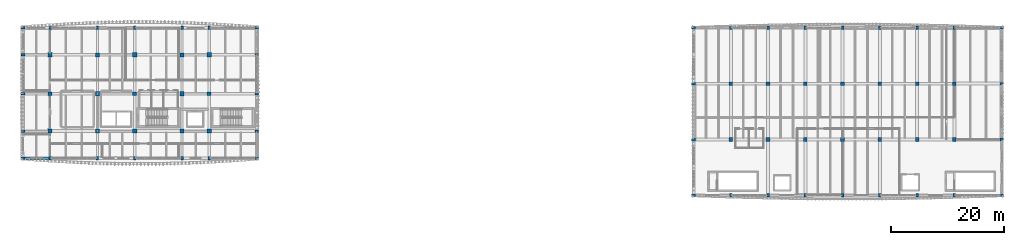
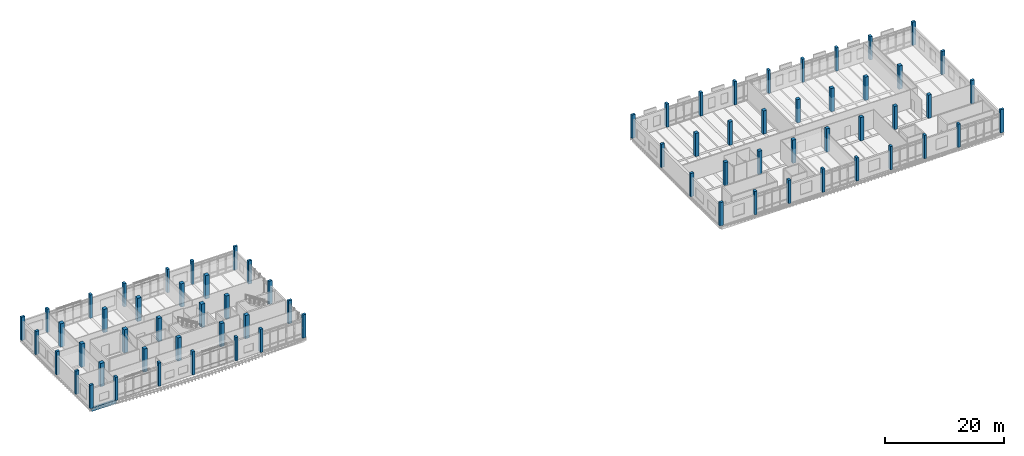
# One storey, part 1 of 37: 71 columns, 1 beam.
"""IFC4 building model written with IfcOpenShell, lengths in metres."""

from ifc_helpers import new_model, si_unit, direction, frame, origin, origin_2d, place, context, subcontext, project, spatial, rectangle, extrude, material, material_profile, profile_set, type_object, element, save


model = new_model("IFC4")

# Units and contexts
model_context = context("Model", 3, precision=1e-05, world=origin(), true_north=direction((0.0, 1.0)))
body_context = subcontext(model_context, "Body", "Model", "MODEL_VIEW")
ifc_project = project(units=[si_unit("LENGTHUNIT", "METRE"), si_unit("AREAUNIT", "SQUARE_METRE"), si_unit("VOLUMEUNIT", "CUBIC_METRE"), si_unit("PLANEANGLEUNIT", "RADIAN"), si_unit("MASSUNIT", "GRAM", prefix="KILO")], contexts=[model_context])

# Site, building, storey
site_placement = place(None, origin())
site = spatial("IfcSite", under=ifc_project, at=site_placement, CompositionType="ELEMENT")
building_placement = place(site_placement, origin())
building = spatial("IfcBuilding", under=site, at=building_placement, Name="Dornvale Research Institute", CompositionType="ELEMENT")
storey_placement = place(building_placement, frame((0.0, 0.0, 29.39990234375)))
storey = spatial("IfcBuildingStorey", under=building, at=storey_placement, Name="L06", CompositionType="ELEMENT", Elevation=29.39990234375)

# Columns
ifc_material_1 = material(Name="Concrete f'c 45 MPa (C35/45)", Category="concrete")
ifc_material_profile_1 = material_profile(ifc_material_1, rectangle(XDim=0.64990234375, YDim=0.64990234375, at=origin_2d()), Name="RC 650x650")
ifc_profile_set_1 = profile_set([ifc_material_profile_1], Name="Concrete f'c 45 MPa (C35/45)")
column_type_1 = type_object("IfcColumnType", Name="Column_RC650", PredefinedType="COLUMN", material=ifc_profile_set_1)
for number, where, z_axis, x_axis, name in (
    (1, (125.39990234375, 102.300048828125, 0.0), (0.0, 0.0, 1.0), (1.0, 0.0, 0.0), "L06 column #695"),
    (2, (125.39990234375, 112.199951171875, 0.0), (0.0, 0.0, 1.0), (1.0, 0.0, 0.0), "L06 column #696"),
    (3, (132.0, 102.300048828125, 0.0), (0.0, 0.0, 1.0), (1.0, 0.0, 0.0), "L06 column #699"),
    (4, (132.0, 112.199951171875, 0.0), (0.0, 0.0, 1.0), (1.0, 0.0, 0.0), "L06 column #700"),
    (5, (138.60009765625, 102.300048828125, 0.0), (0.0, 0.0, 1.0), (1.0, 0.0, 0.0), "L06 column #703"),
    (6, (138.60009765625, 112.199951171875, 0.0), (0.0, 0.0, 1.0), (1.0, 0.0, 0.0), "L06 column #704"),
    (7, (145.199951171875, 102.300048828125, 0.0), (0.0, 0.0, 1.0), (1.0, 0.0, 0.0), "L06 column #707"),
    (8, (145.199951171875, 112.199951171875, 0.0), (0.0, 0.0, 1.0), (1.0, 0.0, 0.0), "L06 column #708"),
    (9, (151.800048828125, 102.300048828125, 0.0), (0.0, 0.0, 1.0), (1.0, 0.0, 0.0), "L06 column #711"),
    (10, (151.800048828125, 112.199951171875, 0.0), (0.0, 0.0, 1.0), (1.0, 0.0, 0.0), "L06 column #712"),
    (11, (158.39990234375, 102.300048828125, 0.0), (0.0, 0.0, 1.0), (1.0, 0.0, 0.0), "L06 column #715"),
    (12, (158.39990234375, 112.199951171875, 0.0), (0.0, 0.0, 1.0), (1.0, 0.0, 0.0), "L06 column #716"),
    (13, (165.0, 102.300048828125, 0.0), (0.0, 0.0, 1.0), (1.0, 0.0, 0.0), "L06 column #719"),
    (14, (165.0, 112.199951171875, 0.0), (0.0, 0.0, 1.0), (1.0, 0.0, 0.0), "L06 column #720"),
):
    element("IfcColumn", number, at=place(storey_placement, frame(where, z_axis=z_axis, x_axis=x_axis)), inside=storey, type_object=column_type_1, Name=name, PredefinedType="COLUMN", context=body_context, shape_type="SweptSolid", body=[
        extrude(rectangle(XDim=0.64990234375, YDim=0.64990234375, at=origin_2d()), origin(), (0.0, 0.0, 1.0), 4.800048828125),
    ])
ifc_material_2 = material(Name="Concrete f'c 45 MPa (C35/45)", Category="concrete")
ifc_material_profile_2 = material_profile(ifc_material_2, rectangle(XDim=0.699951171875, YDim=0.699951171875, at=origin_2d()), Name="RC 700x700")
ifc_profile_set_2 = profile_set([ifc_material_profile_2], Name="Concrete f'c 45 MPa (C35/45)")
column_type_2 = type_object("IfcColumnType", Name="Column_RC700", PredefinedType="COLUMN", material=ifc_profile_set_2)
for number, where, z_axis, x_axis, name in (
    (15, (4.800048828125, 110.39990234375, 0.0), (0.0, 0.0, 1.0), (1.0, 0.0, 0.0), "L06 column #278"),
    (16, (13.199951171875, 103.800048828125, 0.0), (0.0, 0.0, 1.0), (1.0, 0.0, 0.0), "L06 column #282"),
    (17, (13.199951171875, 117.300048828125, 0.0), (0.0, 0.0, 1.0), (1.0, 0.0, 0.0), "L06 column #284"),
    (18, (19.800048828125, 110.39990234375, 0.0), (0.0, 0.0, 1.0), (1.0, 0.0, 0.0), "L06 column #288"),
    (19, (28.199951171875, 103.800048828125, 0.0), (0.0, 0.0, 1.0), (1.0, 0.0, 0.0), "L06 column #292"),
    (20, (28.199951171875, 117.300048828125, 0.0), (0.0, 0.0, 1.0), (1.0, 0.0, 0.0), "L06 column #294"),
    (21, (33.0, 110.39990234375, 0.0), (0.0, 0.0, 1.0), (1.0, 0.0, 0.0), "L06 column #298"),
):
    element("IfcColumn", number, at=place(storey_placement, frame(where, z_axis=z_axis, x_axis=x_axis)), inside=storey, type_object=column_type_2, Name=name, PredefinedType="COLUMN", context=body_context, shape_type="SweptSolid", body=[
        extrude(rectangle(XDim=0.699951171875, YDim=0.699951171875, at=origin_2d()), origin(), (0.0, 0.0, 1.0), 4.800048828125),
    ])
ifc_material_3 = material(Name="Concrete f'c 50 MPa (C40/50)", Category="concrete")
ifc_material_profile_3 = material_profile(ifc_material_3, rectangle(XDim=0.75, YDim=0.75, at=origin_2d()), Name="RC 750x750")
ifc_profile_set_3 = profile_set([ifc_material_profile_3], Name="Concrete f'c 50 MPa (C40/50)")
column_type_3 = type_object("IfcColumnType", Name="Column_RC750", PredefinedType="COLUMN", material=ifc_profile_set_3)
for number, where, z_axis, x_axis, name in (
    (22, (4.800048828125, 103.800048828125, 0.0), (0.0, 0.0, 1.0), (1.0, 0.0, 0.0), "L06 column #277"),
    (23, (4.800048828125, 117.300048828125, 0.0), (0.0, 0.0, 1.0), (1.0, 0.0, 0.0), "L06 column #279"),
    (24, (13.199951171875, 110.39990234375, 0.0), (0.0, 0.0, 1.0), (1.0, 0.0, 0.0), "L06 column #283"),
    (25, (19.800048828125, 103.800048828125, 0.0), (0.0, 0.0, 1.0), (1.0, 0.0, 0.0), "L06 column #287"),
    (26, (19.800048828125, 117.300048828125, 0.0), (0.0, 0.0, 1.0), (1.0, 0.0, 0.0), "L06 column #289"),
    (27, (28.199951171875, 110.39990234375, 0.0), (0.0, 0.0, 1.0), (1.0, 0.0, 0.0), "L06 column #293"),
    (28, (33.0, 103.800048828125, 0.0), (0.0, 0.0, 1.0), (1.0, 0.0, 0.0), "L06 column #297"),
    (29, (33.0, 117.300048828125, 0.0), (0.0, 0.0, 1.0), (1.0, 0.0, 0.0), "L06 column #299"),
):
    element("IfcColumn", number, at=place(storey_placement, frame(where, z_axis=z_axis, x_axis=x_axis)), inside=storey, type_object=column_type_3, Name=name, PredefinedType="COLUMN", context=body_context, shape_type="SweptSolid", body=[
        extrude(rectangle(XDim=0.75, YDim=0.75, at=origin_2d()), origin(), (0.0, 0.0, 1.0), 4.800048828125),
    ])
ifc_material_4 = material(Name="Concrete f'c 45 MPa (C35/45)", Category="concrete")
ifc_material_profile_4 = material_profile(ifc_material_4, rectangle(XDim=0.449951171875, YDim=0.64990234375, at=origin_2d()), Name="RC 450x650")
ifc_profile_set_4 = profile_set([ifc_material_profile_4], Name="Concrete f'c 45 MPa (C35/45)")
column_type_4 = type_object("IfcColumnType", Name="Pilaster_RC450x650_Ext", PredefinedType="PILASTER", material=ifc_profile_set_4)
for number, where, z_axis, x_axis, name in (
    (30, (0.0, 99.0, 0.0), (0.0, 0.0, 1.0), (0.0, 1.0, 0.0), "L06 column #271"),
    (31, (0.0, 103.800048828125, 0.0), (0.0, 0.0, 1.0), (0.0, 1.0, 0.0), "L06 column #272"),
    (32, (0.0, 110.39990234375, 0.0), (0.0, 0.0, 1.0), (0.0, 1.0, 0.0), "L06 column #273"),
    (33, (0.0, 117.300048828125, 0.0), (0.0, 0.0, 1.0), (0.0, 1.0, 0.0), "L06 column #274"),
    (34, (0.0, 122.10009765625, 0.0), (0.0, 0.0, 1.0), (0.0, 1.0, 0.0), "L06 column #275"),
    (35, (4.800048828125, 99.0, 0.0), (0.0, 0.0, 1.0), (1.0, 0.0, 0.0), "L06 column #276"),
    (36, (4.800048828125, 122.10009765625, 0.0), (0.0, 0.0, 1.0), (1.0, 0.0, 0.0), "L06 column #280"),
    (37, (13.199951171875, 99.0, 0.0), (0.0, 0.0, 1.0), (1.0, 0.0, 0.0), "L06 column #281"),
    (38, (13.199951171875, 122.10009765625, 0.0), (0.0, 0.0, 1.0), (1.0, 0.0, 0.0), "L06 column #285"),
    (39, (19.800048828125, 99.0, 0.0), (0.0, 0.0, 1.0), (1.0, 0.0, 0.0), "L06 column #286"),
    (40, (19.800048828125, 122.10009765625, 0.0), (0.0, 0.0, 1.0), (1.0, 0.0, 0.0), "L06 column #290"),
    (41, (28.199951171875, 99.0, 0.0), (0.0, 0.0, 1.0), (1.0, 0.0, 0.0), "L06 column #291"),
    (42, (28.199951171875, 122.10009765625, 0.0), (0.0, 0.0, 1.0), (1.0, 0.0, 0.0), "L06 column #295"),
    (43, (33.0, 99.0, 0.0), (0.0, 0.0, 1.0), (1.0, 0.0, 0.0), "L06 column #296"),
    (44, (33.0, 122.10009765625, 0.0), (0.0, 0.0, 1.0), (1.0, 0.0, 0.0), "L06 column #300"),
    (45, (41.39990234375, 99.0, 0.0), (0.0, 0.0, 1.0), (0.0, 1.0, 0.0), "L06 column #301"),
    (46, (41.39990234375, 103.800048828125, 0.0), (0.0, 0.0, 1.0), (0.0, 1.0, 0.0), "L06 column #302"),
    (47, (41.39990234375, 110.39990234375, 0.0), (0.0, 0.0, 1.0), (0.0, 1.0, 0.0), "L06 column #303"),
    (48, (41.39990234375, 117.300048828125, 0.0), (0.0, 0.0, 1.0), (0.0, 1.0, 0.0), "L06 column #304"),
    (49, (41.39990234375, 122.10009765625, 0.0), (0.0, 0.0, 1.0), (0.0, 1.0, 0.0), "L06 column #305"),
    (50, (118.800048828125, 92.39990234375, 0.0), (0.0, 0.0, 1.0), (0.0, 1.0, 0.0), "L06 column #690"),
    (51, (118.800048828125, 102.300048828125, 0.0), (0.0, 0.0, 1.0), (0.0, 1.0, 0.0), "L06 column #691"),
    (52, (118.800048828125, 112.199951171875, 0.0), (0.0, 0.0, 1.0), (0.0, 1.0, 0.0), "L06 column #692"),
    (53, (118.800048828125, 122.10009765625, 0.0), (0.0, 0.0, 1.0), (0.0, 1.0, 0.0), "L06 column #693"),
    (54, (125.39990234375, 92.39990234375, 0.0), (0.0, 0.0, 1.0), (1.0, 0.0, 0.0), "L06 column #694"),
    (55, (125.39990234375, 122.10009765625, 0.0), (0.0, 0.0, 1.0), (1.0, 0.0, 0.0), "L06 column #697"),
    (56, (132.0, 92.39990234375, 0.0), (0.0, 0.0, 1.0), (1.0, 0.0, 0.0), "L06 column #698"),
    (57, (132.0, 122.10009765625, 0.0), (0.0, 0.0, 1.0), (1.0, 0.0, 0.0), "L06 column #701"),
    (58, (138.60009765625, 92.39990234375, 0.0), (0.0, 0.0, 1.0), (1.0, 0.0, 0.0), "L06 column #702"),
    (59, (138.60009765625, 122.10009765625, 0.0), (0.0, 0.0, 1.0), (1.0, 0.0, 0.0), "L06 column #705"),
    (60, (145.199951171875, 92.39990234375, 0.0), (0.0, 0.0, 1.0), (1.0, 0.0, 0.0), "L06 column #706"),
    (61, (145.199951171875, 122.10009765625, 0.0), (0.0, 0.0, 1.0), (1.0, 0.0, 0.0), "L06 column #709"),
    (62, (151.800048828125, 92.39990234375, 0.0), (0.0, 0.0, 1.0), (1.0, 0.0, 0.0), "L06 column #710"),
    (63, (151.800048828125, 122.10009765625, 0.0), (0.0, 0.0, 1.0), (1.0, 0.0, 0.0), "L06 column #713"),
    (64, (158.39990234375, 92.39990234375, 0.0), (0.0, 0.0, 1.0), (1.0, 0.0, 0.0), "L06 column #714"),
    (65, (158.39990234375, 122.10009765625, 0.0), (0.0, 0.0, 1.0), (1.0, 0.0, 0.0), "L06 column #717"),
    (66, (165.0, 92.39990234375, 0.0), (0.0, 0.0, 1.0), (1.0, 0.0, 0.0), "L06 column #718"),
    (67, (165.0, 122.10009765625, 0.0), (0.0, 0.0, 1.0), (1.0, 0.0, 0.0), "L06 column #721"),
    (68, (173.39990234375, 92.39990234375, 0.0), (0.0, 0.0, 1.0), (0.0, 1.0, 0.0), "L06 column #722"),
    (69, (173.39990234375, 102.300048828125, 0.0), (0.0, 0.0, 1.0), (0.0, 1.0, 0.0), "L06 column #723"),
    (70, (173.39990234375, 112.199951171875, 0.0), (0.0, 0.0, 1.0), (0.0, 1.0, 0.0), "L06 column #724"),
    (71, (173.39990234375, 122.10009765625, 0.0), (0.0, 0.0, 1.0), (0.0, 1.0, 0.0), "L06 column #725"),
):
    element("IfcColumn", number, at=place(storey_placement, frame(where, z_axis=z_axis, x_axis=x_axis)), inside=storey, type_object=column_type_4, Name=name, PredefinedType="PILASTER", context=body_context, shape_type="SweptSolid", body=[
        extrude(rectangle(XDim=0.449951171875, YDim=0.64990234375, at=origin_2d()), origin(), (0.0, 0.0, 1.0), 4.800048828125),
    ])

# Beam
ifc_material_5 = material(Name="Concrete f'c 45 MPa (C35/45)", Category="concrete")
ifc_material_profile_5 = material_profile(ifc_material_5, rectangle(XDim=0.39990234375, YDim=0.699951171875, at=origin_2d()), Name="RC 400x700")
ifc_profile_set_5 = profile_set([ifc_material_profile_5], Name="Concrete f'c 45 MPa (C35/45)")
beam_type = type_object("IfcBeamType", Name="Spandrel_RC400x700_Ext", PredefinedType="SPANDREL", material=ifc_profile_set_5)
beam_placement = place(storey_placement, frame((0.0, 99.0, -0.349853515625), z_axis=(1.0, 0.0, 0.0), x_axis=(0.0, 1.0, 0.0)))
element("IfcBeam", 72, at=beam_placement, inside=storey, type_object=beam_type, Name="L06 perimeter spandrel #1440", PredefinedType="SPANDREL", context=body_context, shape_type="SweptSolid", body=[
    extrude(rectangle(XDim=0.39990234375, YDim=0.699951171875, at=origin_2d()), origin(), (0.0, 0.0, 1.0), 4.800048828125),
])

save(model, "model.ifc")
